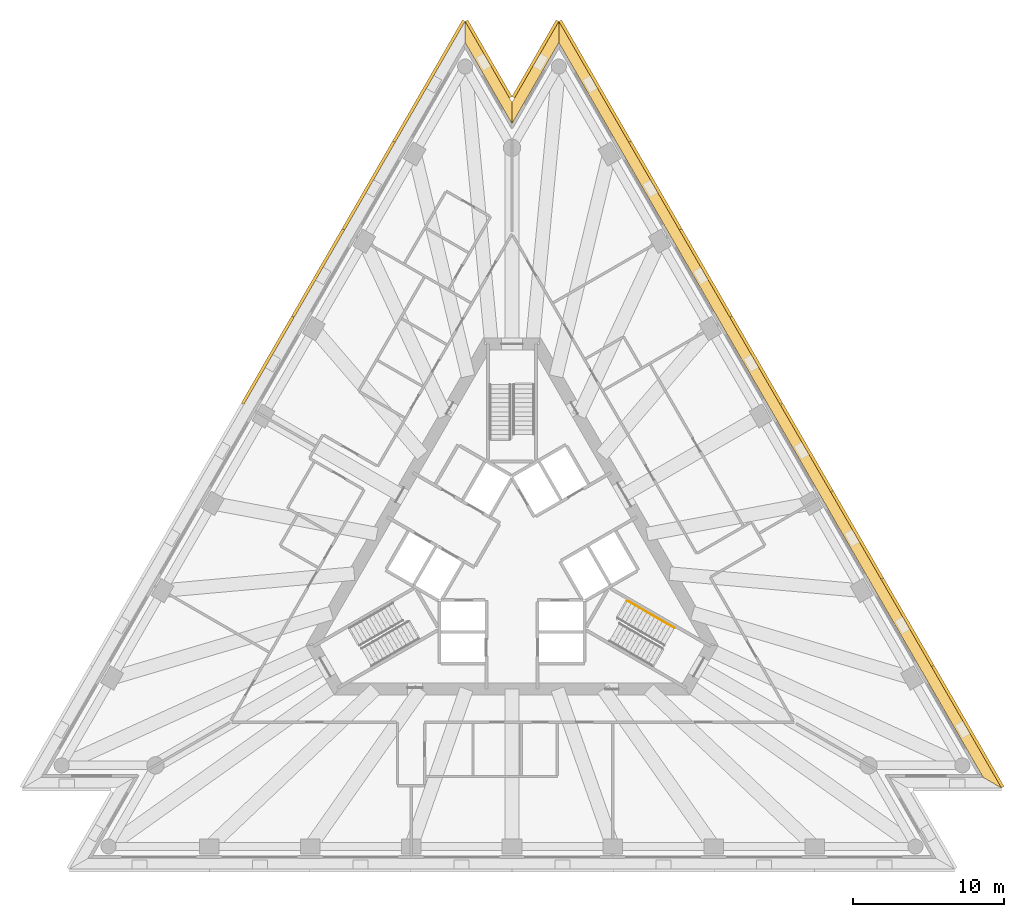
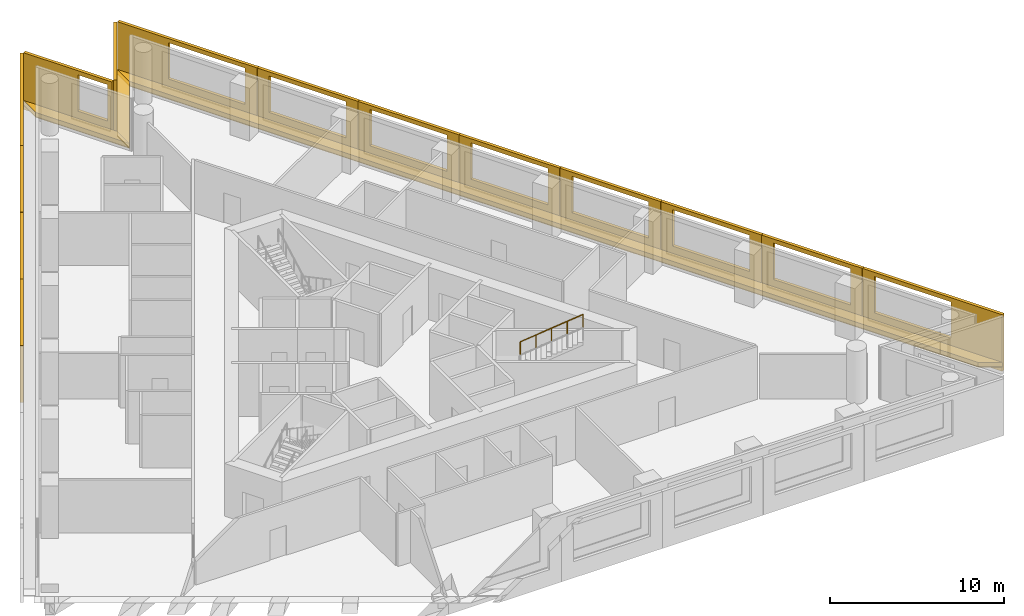
# One storey, part 9 of 9: 17 shading devices, 3 coverings, 1 railing, 1 element without a shape of its own.
"""IFC4 building model written with IfcOpenShell, lengths in metres."""

from ifc_helpers import new_model, si_unit, direction, frame, origin, origin_2d, place, context, subcontext, project, spatial, polyline, circle, outline, extrude, material, layer, layer_set, layer_usage, type_object, element, aggregate, save


model = new_model("IFC4")

# Units and contexts
model_context = context("Model", 3, precision=1e-05, world=origin(), true_north=direction((0.0, 1.0)))
body_context = subcontext(model_context, "Body", "Model", "MODEL_VIEW")
ifc_project = project(units=[si_unit("LENGTHUNIT", "METRE"), si_unit("AREAUNIT", "SQUARE_METRE"), si_unit("VOLUMEUNIT", "CUBIC_METRE"), si_unit("PLANEANGLEUNIT", "RADIAN"), si_unit("MASSUNIT", "GRAM", prefix="KILO")], contexts=[model_context])

# Site, building, storey
site_placement = place(None, origin())
site = spatial("IfcSite", under=ifc_project, at=site_placement, CompositionType="ELEMENT")
building_placement = place(site_placement, origin())
building = spatial("IfcBuilding", under=site, at=building_placement, Name="Triada Interchange Tower", CompositionType="ELEMENT")
storey_placement = place(building_placement, frame((0.0, 0.0, 144.300048828125)))
storey = spatial("IfcBuildingStorey", under=building, at=storey_placement, Name="L33", CompositionType="ELEMENT", Elevation=144.300048828125)

# Coverings
ifc_material_1 = material(Name="Mineral fire-stop board")
ifc_layer_1 = layer(ifc_material_1, 0.0400390625, Name="Mineral fire-stop board")
ifc_material_2 = material(Name="Intumescent sealant")
ifc_layer_2 = layer(ifc_material_2, 0.010009765625, Name="Intumescent seal")
ifc_layer_set_1 = layer_set([ifc_layer_1, ifc_layer_2], Name="Cavity fire stop")
ifc_layer_usage = layer_usage(ifc_layer_set_1, "AXIS3", "POSITIVE", 0.0)
covering_type = type_object("IfcCoveringType", Name="Cavity fire stop", PredefinedType="INSULATION", material=ifc_layer_set_1)
covering_1_placement = place(storey_placement, origin())
element("IfcCovering", 1, at=covering_1_placement, inside=storey, type_object=covering_type, material=ifc_layer_usage, Name="Cavity fire stop L33 NE", PredefinedType="INSULATION", context=body_context, shape_type="SweptSolid", body=[
    extrude(outline(polyline([(31.25390625, -14.455078125), (32.466064453125, -15.155029296875), (3.10791015625, 35.694091796875), (3.10791015625, 34.2939453125), (31.25390625, -14.455078125)])), origin(), (0.0, 0.0, 1.0), 0.050048828125),
])
covering_2_placement = place(storey_placement, origin())
element("IfcCovering", 2, at=covering_2_placement, inside=storey, type_object=covering_type, material=ifc_layer_usage, Name="Cavity fire stop L33 N-1", PredefinedType="INSULATION", context=body_context, shape_type="SweptSolid", body=[
    extrude(outline(polyline([(3.10791015625, 34.2939453125), (3.10791015625, 35.694091796875), (0.0, 30.31103515625), (0.0, 28.910888671875), (3.10791015625, 34.2939453125)])), origin(), (0.0, 0.0, 1.0), 0.050048828125),
])
covering_3_placement = place(storey_placement, origin())
element("IfcCovering", 3, at=covering_3_placement, inside=storey, type_object=covering_type, material=ifc_layer_usage, Name="Cavity fire stop L33 N-2", PredefinedType="INSULATION", context=body_context, shape_type="SweptSolid", body=[
    extrude(outline(polyline([(0.0, 28.910888671875), (0.0, 30.31103515625), (-3.10791015625, 35.694091796875), (-3.10791015625, 34.2939453125), (0.0, 28.910888671875)])), origin(), (0.0, 0.0, 1.0), 0.050048828125),
])

# Shading devices
ifc_material_3 = material(Name="Aluminium louvre", Category="aluminium")
shading_device_type_1 = type_object("IfcShadingDeviceType", Name="Cavity louvre grille", PredefinedType="JALOUSIE", material=ifc_material_3)
shading_device_1_placement = place(storey_placement, frame((0.0, 0.0, 0.050048828125)))
element("IfcShadingDevice", 4, at=shading_device_1_placement, inside=storey, type_object=shading_device_type_1, Name="Cavity louvre grille L33 NE", PredefinedType="JALOUSIE", context=body_context, shape_type="SweptSolid", body=[
    extrude(outline(polyline([(31.25390625, -14.455078125), (32.466064453125, -15.155029296875), (3.10791015625, 35.694091796875), (3.10791015625, 34.2939453125), (31.25390625, -14.455078125)])), origin(), (0.0, 0.0, 1.0), 0.2998046875),
])
shading_device_2_placement = place(storey_placement, frame((0.0, 0.0, 0.050048828125)))
element("IfcShadingDevice", 5, at=shading_device_2_placement, inside=storey, type_object=shading_device_type_1, Name="Cavity louvre grille L33 N-1", PredefinedType="JALOUSIE", context=body_context, shape_type="SweptSolid", body=[
    extrude(outline(polyline([(3.10791015625, 34.2939453125), (3.10791015625, 35.694091796875), (0.0, 30.31103515625), (0.0, 28.910888671875), (3.10791015625, 34.2939453125)])), origin(), (0.0, 0.0, 1.0), 0.2998046875),
])
shading_device_3_placement = place(storey_placement, frame((0.0, 0.0, 0.050048828125)))
element("IfcShadingDevice", 6, at=shading_device_3_placement, inside=storey, type_object=shading_device_type_1, Name="Cavity louvre grille L33 N-2", PredefinedType="JALOUSIE", context=body_context, shape_type="SweptSolid", body=[
    extrude(outline(polyline([(0.0, 28.910888671875), (0.0, 30.31103515625), (-3.10791015625, 35.694091796875), (-3.10791015625, 34.2939453125), (0.0, 28.910888671875)])), origin(), (0.0, 0.0, 1.0), 0.2998046875),
])
ifc_material_4 = material(Name="Concrete C50/60 precast", Category="concrete")
ifc_layer_3 = layer(ifc_material_4, 0.02001953125, Name="Exposed aggregate face")
ifc_layer_4 = layer(ifc_material_4, 0.179931640625, Name="Precast concrete screen")
ifc_layer_set_2 = layer_set([ifc_layer_3, ifc_layer_4], Name="Outer skin screen panel 3980")
shading_device_type_2 = type_object("IfcShadingDeviceType", Name="Outer skin screen panel 3980", PredefinedType="SHUTTER", material=ifc_layer_set_2)
shading_device_4_placement = place(storey_placement, frame((-3.113037109375, 35.68505859375, -0.2900390625), z_axis=(0.0, 0.0, 1.0), x_axis=(-0.500012049799, -0.866018446718, 0.0)))
element("IfcShadingDevice", 7, at=shading_device_4_placement, inside=storey, type_object=shading_device_type_2, Name="Outer skin screen panel L33 01", PredefinedType="SHUTTER", context=body_context, shape_type="SweptSolid", body=[
    extrude(outline(polyline([(0.0, 0.0), (9.267822265625, 0.0), (9.267822265625, 3.97998046875), (0.0, 3.97998046875), (0.0, 0.0)]), holes=[polyline([(3.382568359375, 1.139892578125), (3.382568359375, 3.68994140625), (8.482666015625, 3.68994140625), (8.482666015625, 1.139892578125), (3.382568359375, 1.139892578125)])]), frame((0.0, 0.0, 0.0), z_axis=(0.0, -1.0, 0.0), x_axis=(1.0, 0.0, 0.0)), (0.0, 0.0, 1.0), 0.199951171875),
])
shading_device_5_placement = place(storey_placement, frame((-7.757080078125, 27.64208984375, -0.2900390625), z_axis=(0.0, 0.0, 1.0), x_axis=(-0.499949507731, -0.866054553547, 0.0)))
element("IfcShadingDevice", 8, at=shading_device_5_placement, inside=storey, type_object=shading_device_type_2, Name="Outer skin screen panel L33 02", PredefinedType="SHUTTER", context=body_context, shape_type="SweptSolid", body=[
    extrude(outline(polyline([(0.0, 0.0), (6.670654296875, 0.0), (6.670654296875, 3.97998046875), (0.0, 3.97998046875), (0.0, 0.0)]), holes=[polyline([(0.78466796875, 1.139892578125), (0.78466796875, 3.68994140625), (5.884521484375, 3.68994140625), (5.884521484375, 1.139892578125), (0.78466796875, 1.139892578125)])]), frame((0.0, 0.0, 0.0), z_axis=(0.0, -1.0, 0.0), x_axis=(1.0, 0.0, 0.0)), (0.0, 0.0, 1.0), 0.199951171875),
])
shading_device_6_placement = place(storey_placement, frame((-11.10205078125, 21.847900390625, -0.2900390625), z_axis=(0.0, 0.0, 1.0), x_axis=(-0.500028753158, -0.866008802504, 0.0)))
element("IfcShadingDevice", 9, at=shading_device_6_placement, inside=storey, type_object=shading_device_type_2, Name="Outer skin screen panel L33 03", PredefinedType="SHUTTER", context=body_context, shape_type="SweptSolid", body=[
    extrude(outline(polyline([(0.0, 0.0), (6.66943359375, 0.0), (6.66943359375, 3.97998046875), (0.0, 3.97998046875), (0.0, 0.0)]), holes=[polyline([(0.78466796875, 1.139892578125), (0.78466796875, 3.68994140625), (5.884765625, 3.68994140625), (5.884765625, 1.139892578125), (0.78466796875, 1.139892578125)])]), frame((0.0, 0.0, 0.0), z_axis=(0.0, -1.0, 0.0), x_axis=(1.0, 0.0, 0.0)), (0.0, 0.0, 1.0), 0.199951171875),
])
shading_device_7_placement = place(storey_placement, frame((-14.447021484375, 16.054931640625, -0.2900390625), z_axis=(0.0, 0.0, 1.0), x_axis=(-0.499965355142, -0.866045405079, 0.0)))
element("IfcShadingDevice", 10, at=shading_device_7_placement, inside=storey, type_object=shading_device_type_2, Name="Outer skin screen panel L33 04", PredefinedType="SHUTTER", context=body_context, shape_type="SweptSolid", body=[
    extrude(outline(polyline([(0.0, 0.0), (6.67041015625, 0.0), (6.67041015625, 3.97998046875), (0.0, 3.97998046875), (0.0, 0.0)]), holes=[polyline([(0.78466796875, 1.139892578125), (0.78466796875, 3.68994140625), (5.884765625, 3.68994140625), (5.884765625, 1.139892578125), (0.78466796875, 1.139892578125)])]), frame((0.0, 0.0, 0.0), z_axis=(0.0, -1.0, 0.0), x_axis=(1.0, 0.0, 0.0)), (0.0, 0.0, 1.0), 0.199951171875),
])
shading_device_8_placement = place(storey_placement, frame((32.4609375, -15.14599609375, -0.2900390625), z_axis=(0.0, 0.0, 1.0), x_axis=(-0.500023456952, 0.866011860483, 0.0)))
element("IfcShadingDevice", 11, at=shading_device_8_placement, inside=storey, type_object=shading_device_type_2, Name="Outer skin screen panel L33 21", PredefinedType="SHUTTER", context=body_context, shape_type="SweptSolid", body=[
    extrude(outline(polyline([(0.0, 0.0), (9.267578125, 0.0), (9.267578125, 3.97998046875), (0.0, 3.97998046875), (0.0, 0.0)]), holes=[polyline([(3.38330078125, 1.139892578125), (3.38330078125, 3.68994140625), (8.4833984375, 3.68994140625), (8.4833984375, 1.139892578125), (3.38330078125, 1.139892578125)])]), frame((0.0, 0.0, 0.0), z_axis=(0.0, -1.0, 0.0), x_axis=(1.0, 0.0, 0.0)), (0.0, 0.0, 1.0), 0.199951171875),
])
shading_device_9_placement = place(storey_placement, frame((27.81689453125, -7.10302734375, -0.2900390625), z_axis=(0.0, 0.0, 1.0), x_axis=(-0.499949507731, 0.866054553547, 0.0)))
element("IfcShadingDevice", 12, at=shading_device_9_placement, inside=storey, type_object=shading_device_type_2, Name="Outer skin screen panel L33 22", PredefinedType="SHUTTER", context=body_context, shape_type="SweptSolid", body=[
    extrude(outline(polyline([(0.0, 0.0), (6.670654296875, 0.0), (6.670654296875, 3.97998046875), (0.0, 3.97998046875), (0.0, 0.0)]), holes=[polyline([(0.785400390625, 1.139892578125), (0.785400390625, 3.68994140625), (5.88525390625, 3.68994140625), (5.88525390625, 1.139892578125), (0.785400390625, 1.139892578125)])]), frame((0.0, 0.0, 0.0), z_axis=(0.0, -1.0, 0.0), x_axis=(1.0, 0.0, 0.0)), (0.0, 0.0, 1.0), 0.199951171875),
])
shading_device_10_placement = place(storey_placement, frame((24.471923828125, -1.30908203125, -0.2900390625), z_axis=(0.0, 0.0, 1.0), x_axis=(-0.500012902398, 0.866017954453, 0.0)))
element("IfcShadingDevice", 13, at=shading_device_10_placement, inside=storey, type_object=shading_device_type_2, Name="Outer skin screen panel L33 23", PredefinedType="SHUTTER", context=body_context, shape_type="SweptSolid", body=[
    extrude(outline(polyline([(0.0, 0.0), (6.669677734375, 0.0), (6.669677734375, 3.97998046875), (0.0, 3.97998046875), (0.0, 0.0)]), holes=[polyline([(0.785400390625, 1.139892578125), (0.785400390625, 3.68994140625), (5.885498046875, 3.68994140625), (5.885498046875, 1.139892578125), (0.785400390625, 1.139892578125)])]), frame((0.0, 0.0, 0.0), z_axis=(0.0, -1.0, 0.0), x_axis=(1.0, 0.0, 0.0)), (0.0, 0.0, 1.0), 0.199951171875),
])
shading_device_11_placement = place(storey_placement, frame((21.126953125, 4.485107421875, -0.2900390625), z_axis=(0.0, 0.0, 1.0), x_axis=(-0.500028753158, 0.866008802504, 0.0)))
element("IfcShadingDevice", 14, at=shading_device_11_placement, inside=storey, type_object=shading_device_type_2, Name="Outer skin screen panel L33 24", PredefinedType="SHUTTER", context=body_context, shape_type="SweptSolid", body=[
    extrude(outline(polyline([(0.0, 0.0), (6.66943359375, 0.0), (6.66943359375, 3.97998046875), (0.0, 3.97998046875), (0.0, 0.0)]), holes=[polyline([(0.784423828125, 1.139892578125), (0.784423828125, 3.68994140625), (5.884521484375, 3.68994140625), (5.884521484375, 1.139892578125), (0.784423828125, 1.139892578125)])]), frame((0.0, 0.0, 0.0), z_axis=(0.0, -1.0, 0.0), x_axis=(1.0, 0.0, 0.0)), (0.0, 0.0, 1.0), 0.199951171875),
])
shading_device_12_placement = place(storey_placement, frame((17.781982421875, 10.278076171875, -0.2900390625), z_axis=(0.0, 0.0, 1.0), x_axis=(-0.499965355142, 0.866045405079, 0.0)))
element("IfcShadingDevice", 15, at=shading_device_12_placement, inside=storey, type_object=shading_device_type_2, Name="Outer skin screen panel L33 25", PredefinedType="SHUTTER", context=body_context, shape_type="SweptSolid", body=[
    extrude(outline(polyline([(0.0, 0.0), (6.67041015625, 0.0), (6.67041015625, 3.97998046875), (0.0, 3.97998046875), (0.0, 0.0)]), holes=[polyline([(0.784423828125, 1.139892578125), (0.784423828125, 3.68994140625), (5.884521484375, 3.68994140625), (5.884521484375, 1.139892578125), (0.784423828125, 1.139892578125)])]), frame((0.0, 0.0, 0.0), z_axis=(0.0, -1.0, 0.0), x_axis=(1.0, 0.0, 0.0)), (0.0, 0.0, 1.0), 0.199951171875),
])
shading_device_13_placement = place(storey_placement, frame((14.43701171875, 16.072021484375, -0.2900390625), z_axis=(0.0, 0.0, 1.0), x_axis=(-0.500028753158, 0.866008802504, 0.0)))
element("IfcShadingDevice", 16, at=shading_device_13_placement, inside=storey, type_object=shading_device_type_2, Name="Outer skin screen panel L33 26", PredefinedType="SHUTTER", context=body_context, shape_type="SweptSolid", body=[
    extrude(outline(polyline([(0.0, 0.0), (6.66943359375, 0.0), (6.66943359375, 3.97998046875), (0.0, 3.97998046875), (0.0, 0.0)]), holes=[polyline([(0.78466796875, 1.139892578125), (0.78466796875, 3.68994140625), (5.884521484375, 3.68994140625), (5.884521484375, 1.139892578125), (0.78466796875, 1.139892578125)])]), frame((0.0, 0.0, 0.0), z_axis=(0.0, -1.0, 0.0), x_axis=(1.0, 0.0, 0.0)), (0.0, 0.0, 1.0), 0.199951171875),
])
shading_device_14_placement = place(storey_placement, frame((11.092041015625, 21.864990234375, -0.2900390625), z_axis=(0.0, 0.0, 1.0), x_axis=(-0.499949507731, 0.866054553547, 0.0)))
element("IfcShadingDevice", 17, at=shading_device_14_placement, inside=storey, type_object=shading_device_type_2, Name="Outer skin screen panel L33 27", PredefinedType="SHUTTER", context=body_context, shape_type="SweptSolid", body=[
    extrude(outline(polyline([(0.0, 0.0), (6.670654296875, 0.0), (6.670654296875, 3.97998046875), (0.0, 3.97998046875), (0.0, 0.0)]), holes=[polyline([(0.78466796875, 1.139892578125), (0.78466796875, 3.68994140625), (5.884765625, 3.68994140625), (5.884765625, 1.139892578125), (0.78466796875, 1.139892578125)])]), frame((0.0, 0.0, 0.0), z_axis=(0.0, -1.0, 0.0), x_axis=(1.0, 0.0, 0.0)), (0.0, 0.0, 1.0), 0.199951171875),
])
shading_device_15_placement = place(storey_placement, frame((7.7470703125, 27.658935546875, -0.2900390625), z_axis=(0.0, 0.0, 1.0), x_axis=(-0.500012049799, 0.866018446718, 0.0)))
element("IfcShadingDevice", 18, at=shading_device_15_placement, inside=storey, type_object=shading_device_type_2, Name="Outer skin screen panel L33 28", PredefinedType="SHUTTER", context=body_context, shape_type="SweptSolid", body=[
    extrude(outline(polyline([(0.0, 0.0), (9.267822265625, 0.0), (9.267822265625, 3.97998046875), (0.0, 3.97998046875), (0.0, 0.0)]), holes=[polyline([(0.78466796875, 1.139892578125), (0.78466796875, 3.68994140625), (5.884765625, 3.68994140625), (5.884765625, 1.139892578125), (0.78466796875, 1.139892578125)])]), frame((0.0, 0.0, 0.0), z_axis=(0.0, -1.0, 0.0), x_axis=(1.0, 0.0, 0.0)), (0.0, 0.0, 1.0), 0.199951171875),
])
shading_device_16_placement = place(storey_placement, frame((3.10302734375, 35.68505859375, -0.2900390625), z_axis=(0.0, 0.0, 1.0), x_axis=(-0.500103034405, -0.86596590867, 0.0)))
element("IfcShadingDevice", 19, at=shading_device_16_placement, inside=storey, type_object=shading_device_type_2, Name="Outer skin screen panel L33 29", PredefinedType="SHUTTER", context=body_context, shape_type="SweptSolid", body=[
    extrude(outline(polyline([(0.0, 0.0), (5.848876953125, 0.0), (5.848876953125, 3.97998046875), (0.0, 3.97998046875), (0.0, 0.0)]), holes=[polyline([(3.175537109375, 1.139892578125), (3.175537109375, 3.68994140625), (5.54931640625, 3.68994140625), (5.54931640625, 1.139892578125), (3.175537109375, 1.139892578125)])]), frame((0.0, 0.0, 0.0), z_axis=(0.0, -1.0, 0.0), x_axis=(1.0, 0.0, 0.0)), (0.0, 0.0, 1.0), 0.199951171875),
])
shading_device_17_placement = place(storey_placement, frame((-0.177978515625, 30.6201171875, -0.2900390625), z_axis=(0.0, 0.0, 1.0), x_axis=(-0.500103034405, 0.86596590867, 0.0)))
element("IfcShadingDevice", 20, at=shading_device_17_placement, inside=storey, type_object=shading_device_type_2, Name="Outer skin screen panel L33 30", PredefinedType="SHUTTER", context=body_context, shape_type="SweptSolid", body=[
    extrude(outline(polyline([(0.0, 0.0), (5.848876953125, 0.0), (5.848876953125, 3.97998046875), (0.0, 3.97998046875), (0.0, 0.0)]), holes=[polyline([(0.300048828125, 1.139892578125), (0.300048828125, 3.68994140625), (2.2578125, 3.68994140625), (2.2578125, 1.139892578125), (0.300048828125, 1.139892578125)])]), frame((0.0, 0.0, 0.0), z_axis=(0.0, -1.0, 0.0), x_axis=(1.0, 0.0, 0.0)), (0.0, 0.0, 1.0), 0.199951171875),
])

# Stair, railing
ifc_material_5 = material(Name="Concrete C35/45", Category="concrete")
stair_type = type_object("IfcStairType", Name="HALF TURN STAIR 1400", PredefinedType="HALF_TURN_STAIR", material=ifc_material_5)
stair_placement = place(storey_placement, origin())
stair = element("IfcStair", 21, at=stair_placement, inside=storey, type_object=stair_type, Name="Exit stair S32-3", PredefinedType="HALF_TURN_STAIR")
ifc_material_6 = material(Name="Stainless steel 1.4301", Category="steel")
railing_type = type_object("IfcRailingType", Name="STAIR HANDRAIL 900", PredefinedType="HANDRAIL", material=ifc_material_6)
railing_placement = place(storey_placement, frame((7.653076171875, -2.743896484375, 2.079833984375)))
railing = element("IfcRailing", 22, at=railing_placement, type_object=railing_type, Name="Handrail S32-3 2W", PredefinedType="HANDRAIL", context=body_context, shape_type="SweptSolid", body=[
    extrude(circle(Radius=0.02392578125, at=origin_2d()), frame((0.0, 0.0, 0.8759765625), z_axis=(0.76414469501, -0.441158784458, 0.470597292793), x_axis=(0.499982693035, 0.866035395735, 0.0)), (0.0, 0.0, 1.0), 4.080322265625),
    extrude(circle(Radius=0.02099609375, at=origin_2d()), origin(), (0.0, 0.0, 1.0), 0.851806640625),
    extrude(circle(Radius=0.02099609375, at=origin_2d()), frame((0.779541015625, -0.449951171875, 0.47998046875)), (0.0, 0.0, 1.0), 0.851806640625),
    extrude(circle(Radius=0.02099609375, at=origin_2d()), frame((1.55908203125, -0.89990234375, 0.9599609375)), (0.0, 0.0, 1.0), 0.851806640625),
    extrude(circle(Radius=0.02099609375, at=origin_2d()), frame((2.33837890625, -1.35009765625, 1.440185546875)), (0.0, 0.0, 1.0), 0.851806640625),
    extrude(circle(Radius=0.02099609375, at=origin_2d()), frame((3.117919921875, -1.800048828125, 1.920166015625)), (0.0, 0.0, 1.0), 0.851806640625),
])
aggregate(stair, [railing])

save(model, "model.ifc")
